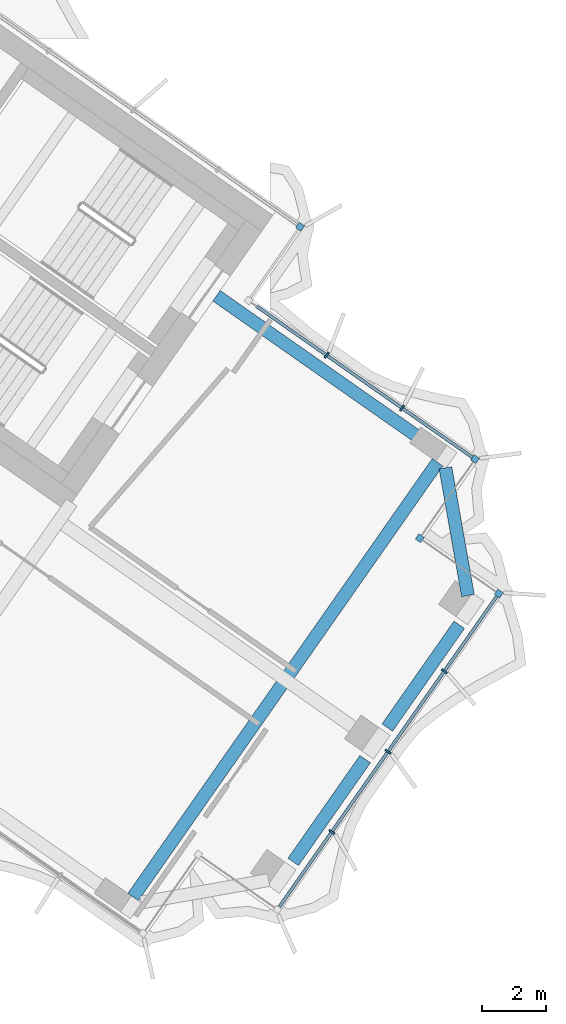
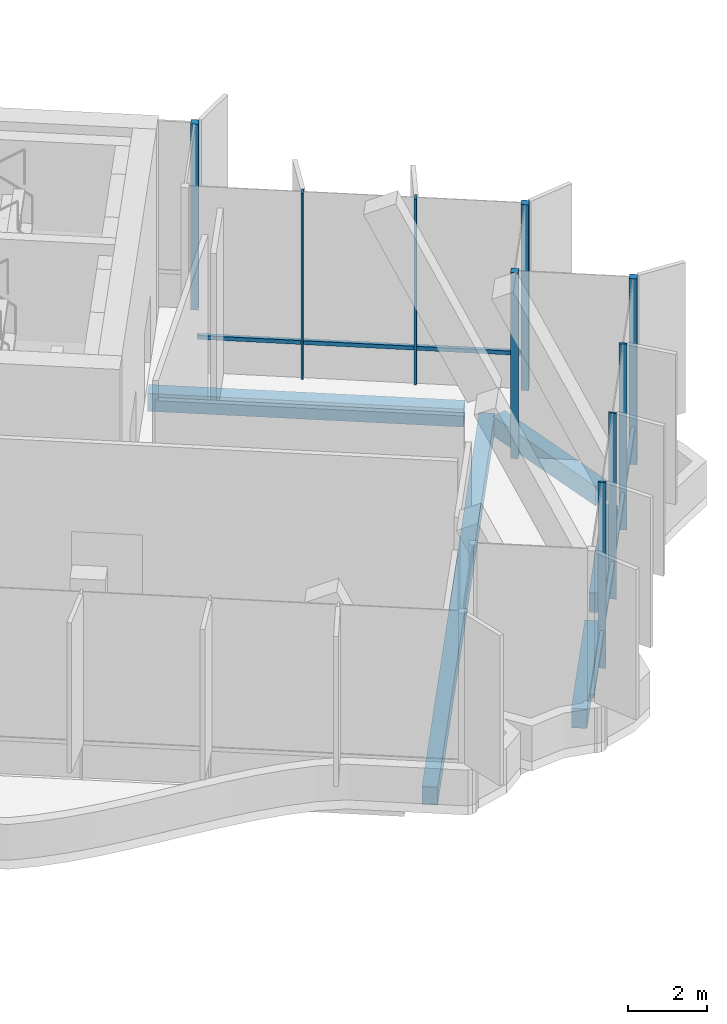
# One storey, part 9 of 22: 11 members, 5 beams, 2 elements without a shape of their own.
"""IFC4 building model written with IfcOpenShell, lengths in metres."""

from ifc_helpers import new_model, si_unit, direction, frame, origin, origin_2d, place, context, subcontext, project, spatial, rectangle, extrude, material, material_profile, profile_set, type_object, element, aggregate, save


model = new_model("IFC4")

# Units and contexts
model_context = context("Model", 3, precision=1e-05, world=origin(), true_north=direction((0.0, 1.0)))
body_context = subcontext(model_context, "Body", "Model", "MODEL_VIEW")
ifc_project = project(units=[si_unit("LENGTHUNIT", "METRE"), si_unit("AREAUNIT", "SQUARE_METRE"), si_unit("VOLUMEUNIT", "CUBIC_METRE"), si_unit("PLANEANGLEUNIT", "RADIAN"), si_unit("MASSUNIT", "GRAM", prefix="KILO")], contexts=[model_context])

# Site, building, storey
site_placement = place(None, origin())
site = spatial("IfcSite", under=ifc_project, at=site_placement, CompositionType="ELEMENT")
building_placement = place(site_placement, origin())
building = spatial("IfcBuilding", under=site, at=building_placement, Name="Tel Ilan Convention Tower", CompositionType="ELEMENT")
storey_placement = place(building_placement, frame((0.0, 0.0, 219.39990234375)))
storey = spatial("IfcBuildingStorey", under=building, at=storey_placement, Name="L51", CompositionType="ELEMENT", Elevation=219.39990234375)

# Beams
ifc_material_1 = material(Name="Concrete C40/50", Category="concrete")
ifc_material_profile_1 = material_profile(ifc_material_1, rectangle(XDim=0.39990234375, YDim=0.550048828125, at=origin_2d()), Name="RC 400x550")
ifc_profile_set_1 = profile_set([ifc_material_profile_1], Name="Concrete C40/50")
beam_type_1 = type_object("IfcBeamType", Name="Beam RC 400x550 Concrete C40/50", PredefinedType="BEAM", material=ifc_profile_set_1)
beam_1_placement = place(storey_placement, frame((32.771484375, -14.21826171875, -0.554931640625), z_axis=(-0.819151624752, 0.573577035512, 0.0), x_axis=(-0.573577035512, -0.819151624752, 0.0)))
element("IfcBeam", 1, at=beam_1_placement, inside=storey, type_object=beam_type_1, Name="L51 beam E-E-BC-core", PredefinedType="BEAM", context=body_context, shape_type="SweptSolid", body=[
    extrude(rectangle(XDim=0.39990234375, YDim=0.550048828125, at=origin_2d()), origin(), (0.0, 0.0, 1.0), 8.0),
])
beam_2_placement = place(storey_placement, frame((23.626708984375, -28.32421875, -0.554931640625), z_axis=(0.573577531157, 0.819151277697, 0.0), x_axis=(-0.819151277697, 0.573577531157, 0.0)))
element("IfcBeam", 2, at=beam_2_placement, inside=storey, type_object=beam_type_1, Name="L51 beam E-E-FC-E-BC", PredefinedType="BEAM", context=body_context, shape_type="SweptSolid", body=[
    extrude(rectangle(XDim=0.39990234375, YDim=0.550048828125, at=origin_2d()), origin(), (0.0, 0.0, 1.0), 16.500244140625),
])
ifc_material_2 = material(Name="Concrete C40/50", Category="concrete")
ifc_material_profile_2 = material_profile(ifc_material_2, rectangle(XDim=0.39990234375, YDim=0.60009765625, at=origin_2d()), Name="RC 400x600")
ifc_profile_set_2 = profile_set([ifc_material_profile_2], Name="Concrete C40/50")
beam_type_2 = type_object("IfcBeamType", Name="Beam RC 400x600 Concrete C40/50", PredefinedType="BEAM", material=ifc_profile_set_2)
for number, where, z_axis, x_axis, name in (
    (3, (28.603759765625, -27.231201171875, -0.579833984375), (0.573609383536, 0.819128973434, 0.0), (-0.819128973434, 0.573609383536, 0.0), "L51 beam E-E-E1-E-E2"),
    (4, (31.529052734375, -23.053466796875, -0.579833984375), (0.573609383536, 0.819128973434, 0.0), (-0.819128973434, 0.573609383536, 0.0), "L51 beam E-E-E2-E-E3"),
):
    element("IfcBeam", number, at=place(storey_placement, frame(where, z_axis=z_axis, x_axis=x_axis)), inside=storey, type_object=beam_type_2, Name=name, PredefinedType="BEAM", context=body_context, shape_type="SweptSolid", body=[
        extrude(rectangle(XDim=0.39990234375, YDim=0.60009765625, at=origin_2d()), origin(), (0.0, 0.0, 1.0), 3.89990234375),
    ])
beam_3_placement = place(storey_placement, frame((34.036376953125, -18.949462890625, -0.579833984375), z_axis=(-0.173605641124, 0.984815252405, 0.0), x_axis=(-0.984815252405, -0.173605641124, 0.0)))
element("IfcBeam", 5, at=beam_3_placement, inside=storey, type_object=beam_type_2, Name="L51 beam E-E-E3-E-BC", PredefinedType="BEAM", context=body_context, shape_type="SweptSolid", body=[
    extrude(rectangle(XDim=0.39990234375, YDim=0.60009765625, at=origin_2d()), origin(), (0.0, 0.0, 1.0), 4.030517578125),
])

# Curtain wall, member
ifc_material_3 = material(Name="Aluminium, bronze anodised", Category="aluminium")
curtain_wall_type_1 = type_object("IfcCurtainWallType", Name="CW2 STICK CURTAIN WALL, SPANDREL PANELS", PredefinedType="NOTDEFINED", material=ifc_material_3)
curtain_wall_1_placement = place(storey_placement, origin())
curtain_wall_1 = element("IfcCurtainWall", 6, at=curtain_wall_1_placement, inside=storey, type_object=curtain_wall_type_1, Name="Curtain wall CW2-40.01", PredefinedType="NOTDEFINED")
ifc_material_4 = material(Name="Aluminium, bronze anodised", Category="aluminium")
ifc_material_profile_3 = material_profile(ifc_material_4, rectangle(XDim=0.199951171875, YDim=0.199951171875, at=origin_2d()), Name="CW CORNER MULLION 200x200")
ifc_profile_set_3 = profile_set([ifc_material_profile_3], Name="Aluminium, bronze anodised")
member_type_1 = type_object("IfcMemberType", Name="CW CORNER MULLION 200x200", PredefinedType="MULLION", material=ifc_profile_set_3)
member_1_placement = place(storey_placement, frame((28.819580078125, -7.483642578125, 0.0), z_axis=(0.0, 0.0, 1.0), x_axis=(0.573576436351, 0.819152044289, 0.0)))
member_1 = element("IfcMember", 7, at=member_1_placement, type_object=member_type_1, Name="Corner mullion", PredefinedType="MULLION", context=body_context, shape_type="SweptSolid", body=[
    extrude(rectangle(XDim=0.199951171875, YDim=0.199951171875, at=origin_2d()), origin(), (0.0, 0.0, 1.0), 5.72021484375),
])
aggregate(curtain_wall_1, [member_1])

# Curtain wall, members
ifc_material_5 = material(Name="Aluminium, bronze anodised", Category="aluminium")
curtain_wall_type_2 = type_object("IfcCurtainWallType", Name="CW5 STICK CURTAIN WALL, UPPER OFFICE LOW-IRON TINTED GLASS", PredefinedType="NOTDEFINED", material=ifc_material_5)
curtain_wall_2_placement = place(storey_placement, origin())
curtain_wall_2 = element("IfcCurtainWall", 8, at=curtain_wall_2_placement, inside=storey, type_object=curtain_wall_type_2, Name="Curtain wall CW5-40.02", PredefinedType="NOTDEFINED")
member_2_placement = place(storey_placement, frame((34.994873046875, -18.88818359375, 0.0), z_axis=(0.0, 0.0, 1.0), x_axis=(0.573576436351, 0.819152044289, 0.0)))
member_2 = element("IfcMember", 9, at=member_2_placement, type_object=member_type_1, Name="Corner mullion", PredefinedType="MULLION", context=body_context, shape_type="SweptSolid", body=[
    extrude(rectangle(XDim=0.199951171875, YDim=0.199951171875, at=origin_2d()), origin(), (0.0, 0.0, 1.0), 5.72021484375),
])
member_3_placement = place(storey_placement, frame((32.53759765625, -17.16748046875, 0.0), z_axis=(0.0, 0.0, 1.0), x_axis=(-0.819152044289, 0.573576436351, 0.0)))
member_3 = element("IfcMember", 10, at=member_3_placement, type_object=member_type_1, Name="Corner mullion", PredefinedType="MULLION", context=body_context, shape_type="SweptSolid", body=[
    extrude(rectangle(XDim=0.199951171875, YDim=0.199951171875, at=origin_2d()), origin(), (0.0, 0.0, 1.0), 5.72021484375),
])
member_4_placement = place(storey_placement, frame((34.25830078125, -14.7099609375, 0.0), z_axis=(0.0, 0.0, 1.0), x_axis=(0.573576436351, 0.819152044289, 0.0)))
member_4 = element("IfcMember", 11, at=member_4_placement, type_object=member_type_1, Name="Corner mullion", PredefinedType="MULLION", context=body_context, shape_type="SweptSolid", body=[
    extrude(rectangle(XDim=0.199951171875, YDim=0.199951171875, at=origin_2d()), origin(), (0.0, 0.0, 1.0), 5.72021484375),
])
ifc_material_6 = material(Name="Aluminium, bronze anodised", Category="aluminium")
ifc_material_profile_4 = material_profile(ifc_material_6, rectangle(XDim=0.06005859375, YDim=0.199951171875, at=origin_2d()), Name="CW MULLION 60x200")
ifc_profile_set_4 = profile_set([ifc_material_profile_4], Name="Aluminium, bronze anodised")
member_type_2 = type_object("IfcMemberType", Name="CW MULLION 60x200", PredefinedType="MULLION", material=ifc_profile_set_4)
member_5_placement = place(storey_placement, frame((29.80419921875, -26.301513671875, 0.0), z_axis=(0.0, 0.0, 1.0), x_axis=(0.573576436351, 0.819152044289, 0.0)))
member_5 = element("IfcMember", 12, at=member_5_placement, type_object=member_type_2, Name="Mullion", PredefinedType="MULLION", context=body_context, shape_type="SweptSolid", body=[
    extrude(rectangle(XDim=0.06005859375, YDim=0.199951171875, at=origin_2d()), origin(), (0.0, 0.0, 1.0), 5.72021484375),
])
member_6_placement = place(storey_placement, frame((31.553466796875, -23.802978515625, 0.0), z_axis=(0.0, 0.0, 1.0), x_axis=(0.573576436351, 0.819152044289, 0.0)))
member_6 = element("IfcMember", 13, at=member_6_placement, type_object=member_type_2, Name="Mullion", PredefinedType="MULLION", context=body_context, shape_type="SweptSolid", body=[
    extrude(rectangle(XDim=0.06005859375, YDim=0.199951171875, at=origin_2d()), origin(), (0.0, 0.0, 1.0), 5.72021484375),
])
member_7_placement = place(storey_placement, frame((33.302978515625, -21.3046875, 0.0), z_axis=(0.0, 0.0, 1.0), x_axis=(0.573576436351, 0.819152044289, 0.0)))
member_7 = element("IfcMember", 14, at=member_7_placement, type_object=member_type_2, Name="Mullion", PredefinedType="MULLION", context=body_context, shape_type="SweptSolid", body=[
    extrude(rectangle(XDim=0.06005859375, YDim=0.199951171875, at=origin_2d()), origin(), (0.0, 0.0, 1.0), 5.72021484375),
])
member_8_placement = place(storey_placement, frame((31.991943359375, -13.123046875, 0.0), z_axis=(0.0, 0.0, 1.0), x_axis=(-0.819152044289, 0.573576436351, 0.0)))
member_8 = element("IfcMember", 15, at=member_8_placement, type_object=member_type_2, Name="Mullion", PredefinedType="MULLION", context=body_context, shape_type="SweptSolid", body=[
    extrude(rectangle(XDim=0.06005859375, YDim=0.199951171875, at=origin_2d()), origin(), (0.0, 0.0, 1.0), 5.72021484375),
])
member_9_placement = place(storey_placement, frame((29.6435546875, -11.478759765625, 0.0), z_axis=(0.0, 0.0, 1.0), x_axis=(-0.819152044289, 0.573576436351, 0.0)))
member_9 = element("IfcMember", 16, at=member_9_placement, type_object=member_type_2, Name="Mullion", PredefinedType="MULLION", context=body_context, shape_type="SweptSolid", body=[
    extrude(rectangle(XDim=0.06005859375, YDim=0.199951171875, at=origin_2d()), origin(), (0.0, 0.0, 1.0), 5.72021484375),
])
ifc_material_7 = material(Name="Aluminium, bronze anodised", Category="aluminium")
ifc_material_profile_5 = material_profile(ifc_material_7, rectangle(XDim=0.10009765625, YDim=0.1201171875, at=origin_2d()), Name="CW TRANSOM 100x120")
ifc_profile_set_5 = profile_set([ifc_material_profile_5], Name="Aluminium, bronze anodised")
member_type_3 = type_object("IfcMemberType", Name="CW TRANSOM 100x120", PredefinedType="USERDEFINED", material=ifc_profile_set_5)
member_10_placement = place(storey_placement, frame((28.16943359375, -28.635986328125, 1.10009765625), z_axis=(0.573567872435, 0.819158040741, 0.0), x_axis=(-0.819158040741, 0.573567872435, 0.0)))
member_10 = element("IfcMember", 17, at=member_10_placement, type_object=member_type_3, Name="Transom", ObjectType="TRANSOM", PredefinedType="USERDEFINED", context=body_context, shape_type="SweptSolid", body=[
    extrude(rectangle(XDim=0.10009765625, YDim=0.1201171875, at=origin_2d()), origin(), (0.0, 0.0, 1.0), 11.800048828125),
])
member_11_placement = place(storey_placement, frame((34.17626953125, -14.652587890625, 1.10009765625), z_axis=(-0.819149386388, 0.573580232209, 0.0), x_axis=(-0.573580232209, -0.819149386388, 0.0)))
member_11 = element("IfcMember", 18, at=member_11_placement, type_object=member_type_3, Name="Transom", ObjectType="TRANSOM", PredefinedType="USERDEFINED", context=body_context, shape_type="SweptSolid", body=[
    extrude(rectangle(XDim=0.10009765625, YDim=0.1201171875, at=origin_2d()), origin(), (0.0, 0.0, 1.0), 8.199951171875),
])
aggregate(curtain_wall_2, [member_5, member_6, member_7, member_2, member_10, member_3, member_4, member_8, member_9, member_11])

save(model, "model.ifc")
